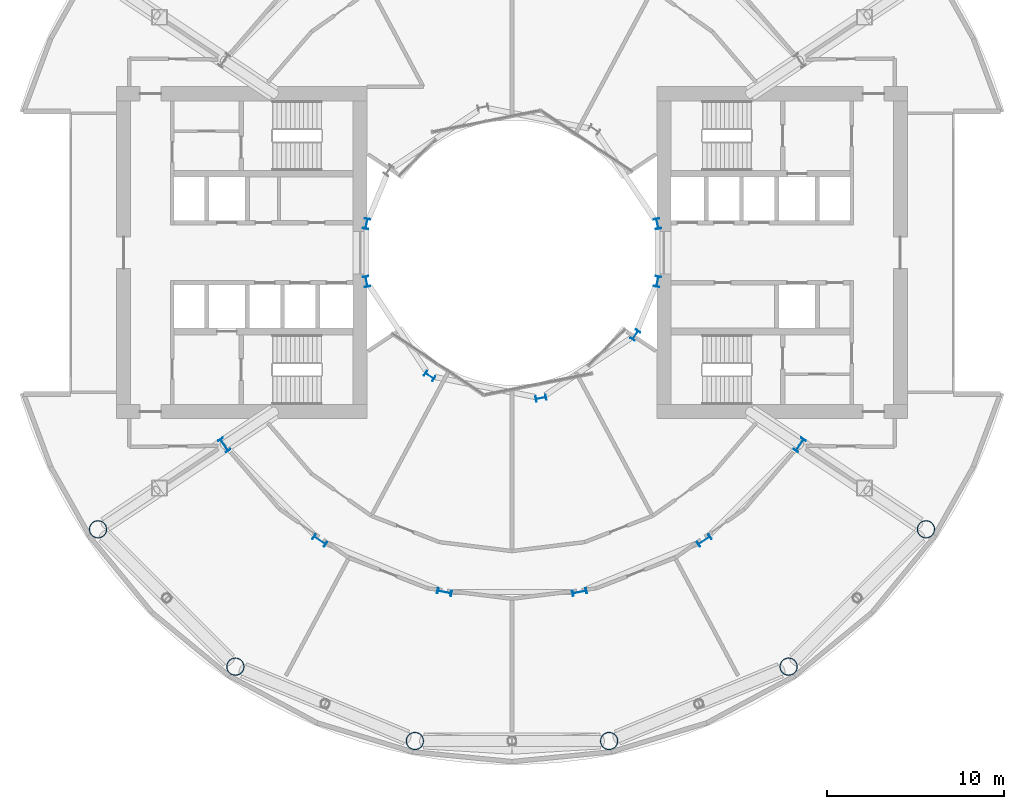
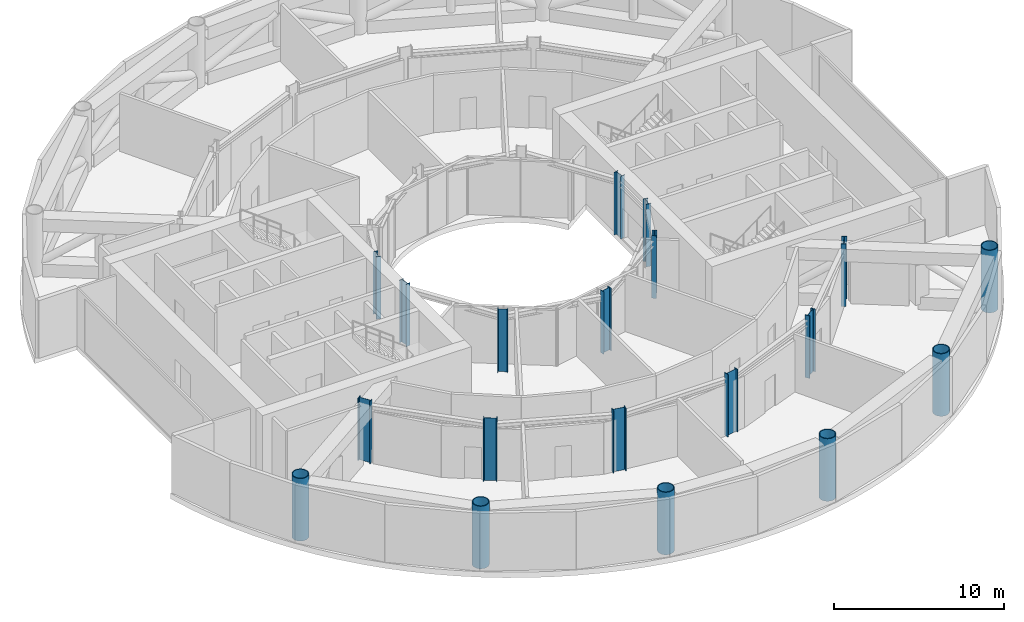
# One storey, part 1 of 15: 19 columns.
"""IFC4 building model written with IfcOpenShell, lengths in metres."""

from ifc_helpers import new_model, si_unit, direction, frame, origin, origin_2d, place, context, subcontext, project, spatial, hollow_circle, i_section, extrude, material, material_profile, profile_set, type_object, element, save


model = new_model("IFC4")

# Units and contexts
model_context = context("Model", 3, precision=1e-05, world=origin(), true_north=direction((0.0, 1.0)))
body_context = subcontext(model_context, "Body", "Model", "MODEL_VIEW")
ifc_project = project(units=[si_unit("LENGTHUNIT", "METRE"), si_unit("AREAUNIT", "SQUARE_METRE"), si_unit("VOLUMEUNIT", "CUBIC_METRE"), si_unit("PLANEANGLEUNIT", "RADIAN"), si_unit("MASSUNIT", "GRAM", prefix="KILO")], contexts=[model_context])

# Site, building, storey
site_placement = place(None, origin())
site = spatial("IfcSite", under=ifc_project, at=site_placement, CompositionType="ELEMENT")
building_placement = place(site_placement, origin())
building = spatial("IfcBuilding", under=site, at=building_placement, Name="Maasbend Ring Residences", CompositionType="ELEMENT")
storey_placement = place(building_placement, frame((0.0, 0.0, 18.300048828125)))
storey = spatial("IfcBuildingStorey", under=building, at=storey_placement, Name="L04", CompositionType="ELEMENT", Elevation=18.300048828125)

# Columns
ifc_material_1 = material(Name="Composite concrete-filled steel tube S460NH / C80/95", Category="concrete")
ifc_material_profile_1 = material_profile(ifc_material_1, hollow_circle(Radius=0.508056640625, WallThickness=0.050048828125, at=origin_2d()), Name="Composite tube column CHS 1016x50")
ifc_profile_set_1 = profile_set([ifc_material_profile_1], Name="Composite concrete-filled steel tube S460NH / C80/95")
column_type_1 = type_object("IfcColumnType", Name="Composite tube column CHS 1016x50", PredefinedType="COLUMN", material=ifc_profile_set_1)
for number, where, z_axis, x_axis, name in (
    (1, (-23.447509765625, -15.6669921875, 0.0), (0.0, 0.0, 1.0), (1.0, 0.0, 0.0), "Outer column R10"),
    (2, (-15.6669921875, -23.447509765625, 0.0), (0.0, 0.0, 1.0), (1.0, 0.0, 0.0), "Outer column R11"),
    (3, (-5.50146484375, -27.658203125, 0.0), (0.0, 0.0, 1.0), (1.0, 0.0, 0.0), "Outer column R12"),
    (4, (5.50146484375, -27.658203125, 0.0), (0.0, 0.0, 1.0), (1.0, 0.0, 0.0), "Outer column R13"),
    (5, (15.6669921875, -23.447509765625, 0.0), (0.0, 0.0, 1.0), (1.0, 0.0, 0.0), "Outer column R14"),
    (6, (23.447509765625, -15.6669921875, 0.0), (0.0, 0.0, 1.0), (1.0, 0.0, 0.0), "Outer column R15"),
):
    element("IfcColumn", number, at=place(storey_placement, frame(where, z_axis=z_axis, x_axis=x_axis)), inside=storey, type_object=column_type_1, Name=name, PredefinedType="COLUMN", context=body_context, shape_type="SweptSolid", body=[
        extrude(hollow_circle(Radius=0.508056640625, WallThickness=0.050048828125, at=origin_2d()), origin(), (0.0, 0.0, 1.0), 4.5),
    ])
ifc_material_2 = material(Name="Steel S460M", Category="steel")
ifc_material_profile_2 = material_profile(ifc_material_2, i_section(OverallWidth=0.300048828125, OverallDepth=0.60009765625, WebThickness=0.015380859375, FlangeThickness=0.030029296875, FilletRadius=0.027099609375, at=origin_2d()), Name="HEB 600")
ifc_profile_set_2 = profile_set([ifc_material_profile_2], Name="Steel S460M")
column_type_2 = type_object("IfcColumnType", Name="Steel column HEB 600", PredefinedType="COLUMN", material=ifc_profile_set_2)
for number, where, z_axis, x_axis, name in (
    (7, (8.238525390625, 1.638916015625, 0.0), (0.0, 0.0, 1.0), (0.980785280403, 0.195090322016, 0.0), "Well ring column R1"),
    (8, (-8.238525390625, 1.638916015625, 0.0), (0.0, 0.0, 1.0), (-0.980785280403, 0.195090322016, 0.0), "Well ring column R8"),
    (9, (-8.238525390625, -1.638916015625, 0.0), (0.0, 0.0, 1.0), (-0.980785280403, -0.195090322016, 0.0), "Well ring column R9"),
    (10, (-4.666748046875, -6.984375, 0.0), (0.0, 0.0, 1.0), (-0.55557023302, -0.831469612303, 0.0), "Well ring column R11"),
    (11, (1.638916015625, -8.238525390625, 0.0), (0.0, 0.0, 1.0), (0.195090322016, -0.980785280403, 0.0), "Well ring column R13"),
    (12, (6.984375, -4.666748046875, 0.0), (0.0, 0.0, 1.0), (0.831469612303, -0.55557023302, 0.0), "Well ring column R15"),
    (13, (8.238525390625, -1.638916015625, 0.0), (0.0, 0.0, 1.0), (0.980785280403, -0.195090322016, 0.0), "Well ring column R16"),
):
    element("IfcColumn", number, at=place(storey_placement, frame(where, z_axis=z_axis, x_axis=x_axis)), inside=storey, type_object=column_type_2, Name=name, PredefinedType="COLUMN", context=body_context, shape_type="SweptSolid", body=[
        extrude(i_section(OverallWidth=0.300048828125, OverallDepth=0.60009765625, WebThickness=0.015380859375, FlangeThickness=0.030029296875, FilletRadius=0.027099609375, at=origin_2d()), origin(), (0.0, 0.0, 1.0), 4.5),
    ])
ifc_material_3 = material(Name="Steel S460M", Category="steel")
ifc_material_profile_3 = material_profile(ifc_material_3, i_section(OverallWidth=0.302978515625, OverallDepth=0.81396484375, WebThickness=0.02099609375, FlangeThickness=0.0400390625, FilletRadius=0.030029296875, at=origin_2d()), Name="HEM 800")
ifc_profile_set_3 = profile_set([ifc_material_profile_3], Name="Steel S460M")
column_type_3 = type_object("IfcColumnType", Name="Steel column HEM 800", PredefinedType="COLUMN", material=ifc_profile_set_3)
for number, where, z_axis, x_axis, name in (
    (14, (-16.296875, -10.88916015625, 0.0), (0.0, 0.0, 1.0), (-0.831469612303, -0.55557023302, 0.0), "Corridor ring column R10"),
    (15, (-10.88916015625, -16.296875, 0.0), (0.0, 0.0, 1.0), (-0.55557023302, -0.831469612303, 0.0), "Corridor ring column R11"),
    (16, (-3.82373046875, -19.223388671875, 0.0), (0.0, 0.0, 1.0), (-0.195090322016, -0.980785280403, 0.0), "Corridor ring column R12"),
    (17, (3.82373046875, -19.223388671875, 0.0), (0.0, 0.0, 1.0), (0.195090322016, -0.980785280403, 0.0), "Corridor ring column R13"),
    (18, (10.88916015625, -16.296875, 0.0), (0.0, 0.0, 1.0), (0.55557023302, -0.831469612303, 0.0), "Corridor ring column R14"),
    (19, (16.296875, -10.88916015625, 0.0), (0.0, 0.0, 1.0), (0.831469612303, -0.55557023302, 0.0), "Corridor ring column R15"),
):
    element("IfcColumn", number, at=place(storey_placement, frame(where, z_axis=z_axis, x_axis=x_axis)), inside=storey, type_object=column_type_3, Name=name, PredefinedType="COLUMN", context=body_context, shape_type="SweptSolid", body=[
        extrude(i_section(OverallWidth=0.302978515625, OverallDepth=0.81396484375, WebThickness=0.02099609375, FlangeThickness=0.0400390625, FilletRadius=0.030029296875, at=origin_2d()), origin(), (0.0, 0.0, 1.0), 4.5),
    ])

save(model, "model.ifc")
